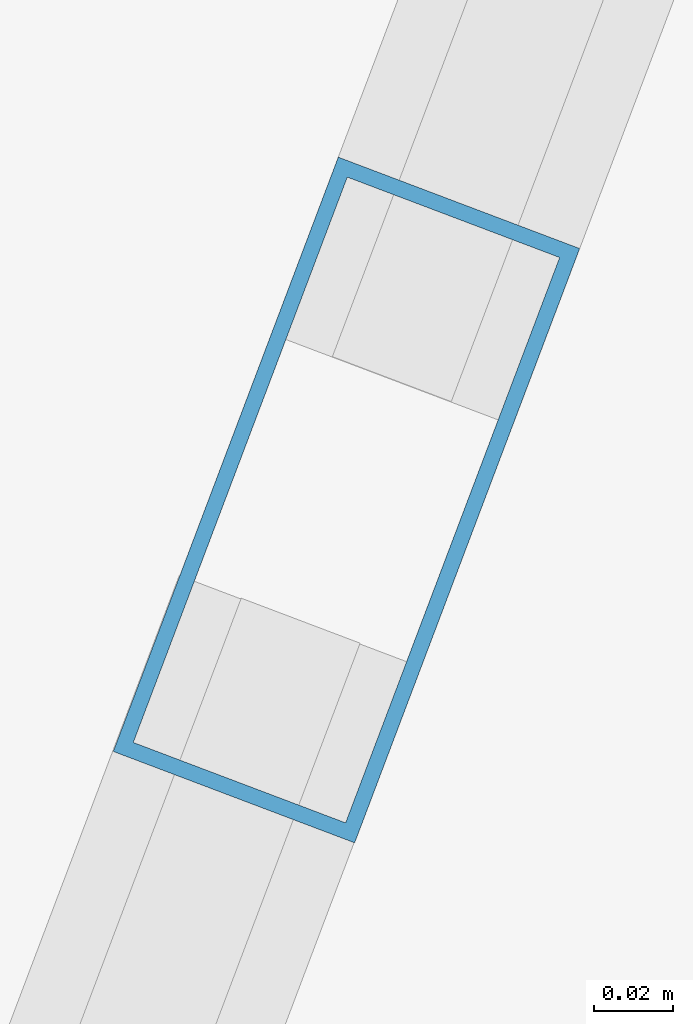
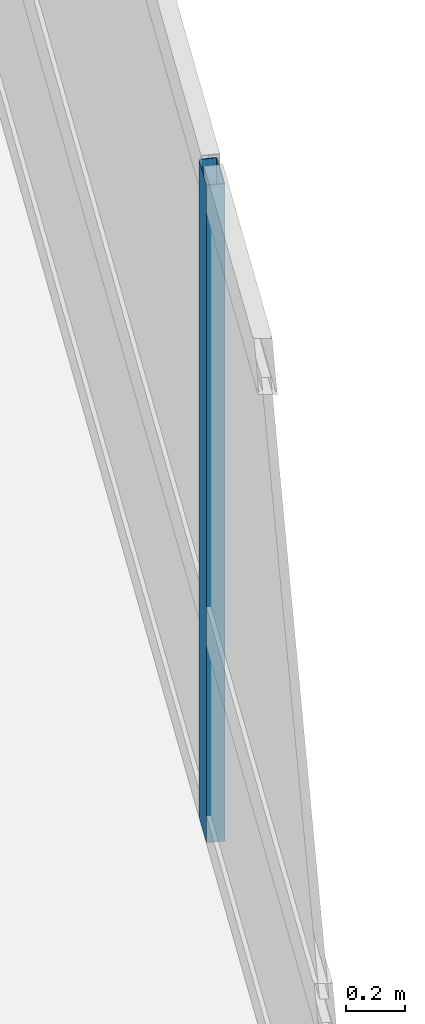
# One storey, part 13 of 24: 1 member, 1 element without a shape of its own.
"""IFC4 building model written with IfcOpenShell, lengths in metres."""

from ifc_helpers import new_model, si_unit, direction, frame, origin, origin_2d, place, context, subcontext, project, spatial, hollow_rectangle, extrude, material, layer, layer_set, material_profile, profile_set, type_object, element, aggregate, save


model = new_model("IFC4")

# Units and contexts
model_context = context("Model", 3, precision=1e-05, world=origin(), true_north=direction((0.0, 1.0)))
body_context = subcontext(model_context, "Body", "Model", "MODEL_VIEW")
ifc_project = project(units=[si_unit("LENGTHUNIT", "METRE"), si_unit("AREAUNIT", "SQUARE_METRE"), si_unit("VOLUMEUNIT", "CUBIC_METRE"), si_unit("PLANEANGLEUNIT", "RADIAN"), si_unit("MASSUNIT", "GRAM", prefix="KILO")], contexts=[model_context])

# Site, building, storey
site_placement = place(None, origin())
site = spatial("IfcSite", under=ifc_project, at=site_placement, CompositionType="ELEMENT")
building_placement = place(site_placement, origin())
building = spatial("IfcBuilding", under=site, at=building_placement, Name="Varnelok Gate Tower", CompositionType="ELEMENT")
storey_placement = place(building_placement, frame((0.0, 0.0, 102.10009765625)))
storey = spatial("IfcBuildingStorey", under=building, at=storey_placement, Name="L25", CompositionType="ELEMENT", Elevation=102.10009765625)

# Curtain wall, member
ifc_material = material(Name="Anodized Aluminum Alloy 6063-T6", Category="aluminium")
ifc_layer = layer(ifc_material, 0.179931640625)
ifc_layer_set = layer_set([ifc_layer], Name="Anodized Aluminum Alloy 6063-T6")
curtain_wall_type = type_object("IfcCurtainWallType", Name="CW3-HOTEL-VISION", PredefinedType="USERDEFINED", material=ifc_layer_set)
curtain_wall_placement = place(storey_placement, origin())
curtain_wall = element("IfcCurtainWall", 1, at=curtain_wall_placement, inside=storey, type_object=curtain_wall_type, Name="L25 East End Vision Curtain Wall", ObjectType="UNITISED CURTAIN WALL", PredefinedType="USERDEFINED")
ifc_material_profile = material_profile(ifc_material, hollow_rectangle(XDim=0.06494140625, YDim=0.159912109375, WallThickness=0.00390625, at=origin_2d()), Name="ALU160X65X4")
ifc_profile_set = profile_set([ifc_material_profile], Name="Anodized Aluminum Alloy 6063-T6")
member_type = type_object("IfcMemberType", Name="CW-MULL-160", PredefinedType="MULLION", material=ifc_profile_set)
member_placement = place(storey_placement, frame((77.8916015625, 22.26416015625, 0.0), z_axis=(0.0, 0.0, 1.0), x_axis=(0.935221323688, -0.354063660545, 0.0)))
member = element("IfcMember", 2, at=member_placement, type_object=member_type, Name="CW3 mullion 2", PredefinedType="MULLION", context=body_context, shape_type="SweptSolid", body=[
    extrude(hollow_rectangle(XDim=0.06494140625, YDim=0.159912109375, WallThickness=0.00390625, at=origin_2d()), origin(), (0.0, 0.0, 1.0), 2.72998046875),
])
aggregate(curtain_wall, [member])

save(model, "model.ifc")
